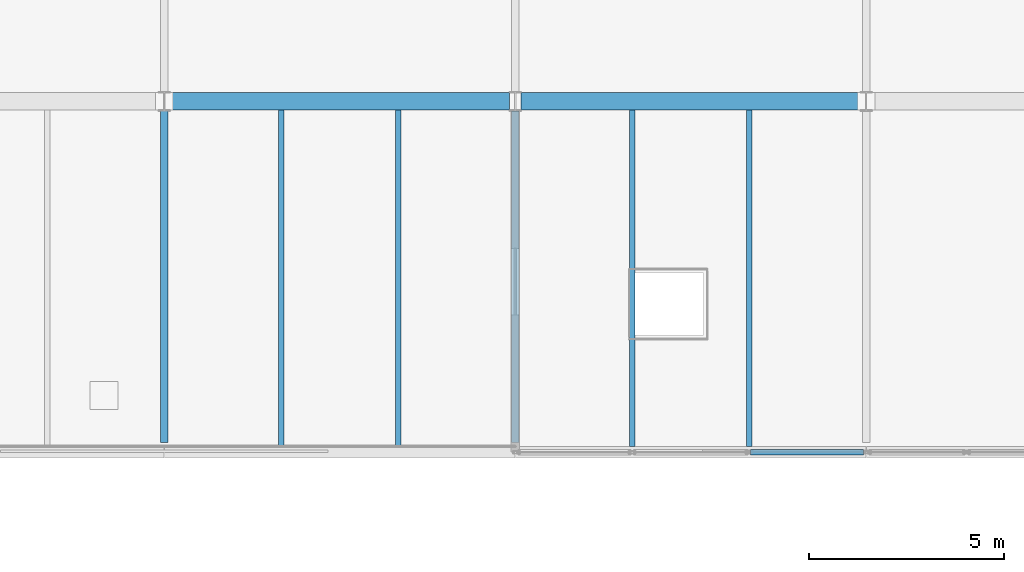
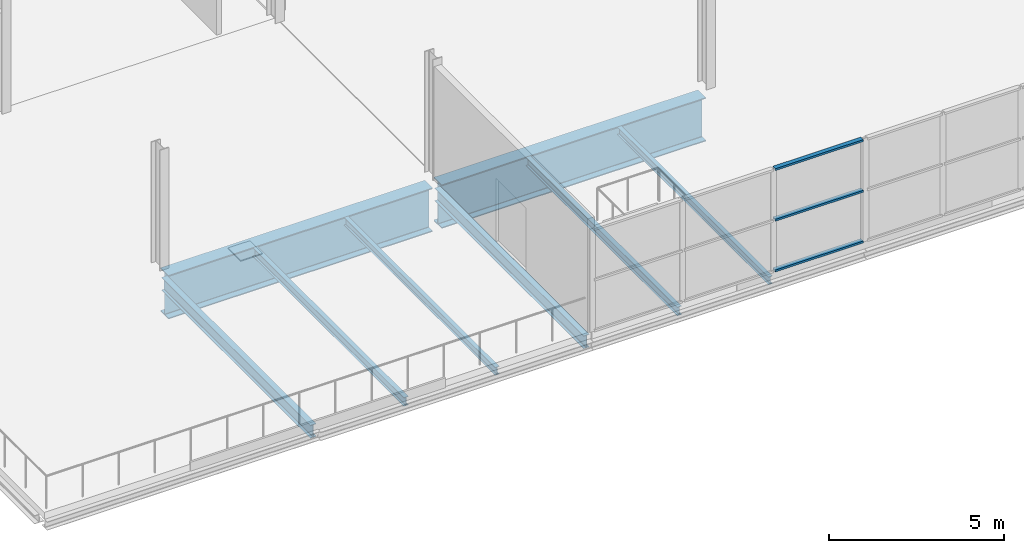
# One storey, part 19 of 88: 8 beams, 3 members, 1 element without a shape of its own.
"""IFC4 building model written with IfcOpenShell, lengths in metres."""

import ifcopenshell
import ifcopenshell.guid

model = None  # the IFC model being written
_history = None  # IfcOwnerHistory: only IFC2X3 demands one
_inside = {}  # id of a spatial element -> (the spatial element, [elements in it])
_under = {}  # id of a project, library or spatial element -> (it, [spatial elements below it])
_declared = {}  # id of a project -> (the project, [libraries it declares])
_typed = {}  # id of a type object -> (the type object, [elements of that type])
_made_of = {}  # id of a material, layer set ... -> (it, [elements and type objects made of it])


def new_model(schema):
    """Start an empty IFC model of exactly this schema.

    Asked for "IFC4X3", IfcOpenShell would pick the latest addendum, in which some entities
    have other attributes; the version numbers below select the first issue.
    IFC2X3 requires an IfcOwnerHistory on every rooted entity: one is made here for all.
    """
    global model, _history
    if schema == "IFC4X3":
        model = ifcopenshell.file(schema_version=(4, 3, 0, 0))
    else:
        model = ifcopenshell.file(schema=schema)
    _inside.clear()
    _under.clear()
    _declared.clear()
    _typed.clear()
    _made_of.clear()
    _history = None
    if model.schema == "IFC2X3":
        org = make("IfcOrganization", Name="unknown")
        user = make(
            "IfcPersonAndOrganization",
            ThePerson=make("IfcPerson", FamilyName="unknown"),
            TheOrganization=org,
        )
        app = make(
            "IfcApplication",
            ApplicationDeveloper=org,
            Version="unknown",
            ApplicationFullName="unknown",
            ApplicationIdentifier="unknown",
        )
        _history = make(
            "IfcOwnerHistory",
            OwningUser=user,
            OwningApplication=app,
            ChangeAction="ADDED",
            CreationDate=0,
        )
    return model


def make(cls, **values):
    """One entity of the class cls with the attributes given. An attribute that is None is left unset."""
    return model.create_entity(
        cls, **{name: value for name, value in values.items() if value is not None}
    )


def rooted(cls, **values):
    """An entity with a GlobalId (a new one), such as an element, a storey or a relation."""
    return make(cls, GlobalId=ifcopenshell.guid.new(), OwnerHistory=_history, **values)


def si_unit(unit_type, name, prefix=None):
    """IfcSIUnit, for example si_unit("LENGTHUNIT", "METRE", prefix="MILLI")."""
    return make("IfcSIUnit", UnitType=unit_type, Prefix=prefix, Name=name)


def assignment(units):
    """IfcUnitAssignment: the units of a project."""
    return None if units is None else make("IfcUnitAssignment", Units=units)


def point(xyz):
    """IfcCartesianPoint."""
    return None if xyz is None else make("IfcCartesianPoint", Coordinates=xyz)


def direction(xyz):
    """IfcDirection."""
    return None if xyz is None else make("IfcDirection", DirectionRatios=xyz)


def frame(location, z_axis=None, x_axis=None):
    """IfcAxis2Placement3D, a coordinate frame: its origin and axes. An axis left out is left unset."""
    return make(
        "IfcAxis2Placement3D",
        Location=point(location),
        Axis=direction(z_axis),
        RefDirection=direction(x_axis),
    )


def frame_2d(location, x_axis=None):
    """IfcAxis2Placement2D, a coordinate frame in the plane: its origin and x axis."""
    return make(
        "IfcAxis2Placement2D", Location=point(location), RefDirection=direction(x_axis)
    )


def origin():
    """The frame at (0, 0, 0) with its axes left unset."""
    return frame((0.0, 0.0, 0.0))


def origin_2d():
    """The frame at (0, 0) in the plane with its x axis left unset."""
    return frame_2d((0.0, 0.0))


def place(relative_to, where):
    """IfcLocalPlacement: puts the frame where relative to a parent placement (None: the world)."""
    return make(
        "IfcLocalPlacement", PlacementRelTo=relative_to, RelativePlacement=where
    )


def context(
    kind, dimensions, precision=None, world=None, true_north=None, identifier=None
):
    """IfcGeometricRepresentationContext, for example the 3D "Model" context."""
    return make(
        "IfcGeometricRepresentationContext",
        ContextIdentifier=identifier,
        ContextType=kind,
        CoordinateSpaceDimension=dimensions,
        Precision=precision,
        WorldCoordinateSystem=world,
        TrueNorth=true_north,
    )


def subcontext(parent, identifier, kind, view, scale=None):
    """IfcGeometricRepresentationSubContext, for example "Body" below "Model"."""
    return make(
        "IfcGeometricRepresentationSubContext",
        ContextIdentifier=identifier,
        ContextType=kind,
        ParentContext=parent,
        TargetScale=scale,
        TargetView=view,
    )


def project(units=None, contexts=None):
    """IfcProject with its units and contexts."""
    return rooted(
        "IfcProject",
        Name="project",
        RepresentationContexts=contexts,
        UnitsInContext=assignment(units),
    )


def spatial(cls, under=None, at=None, **own):
    """A site, building, storey or space (cls), placed at a placement, below another one or the project."""
    s = rooted(cls, ObjectPlacement=at, **own)
    if under is not None:
        _under.setdefault(under.id(), (under, []))[1].append(s)
    return s


def profile(cls, at=None, kind="AREA", **sizes):
    """A parametric profile (cls). Its sizes go by their IFC names, for example OverallWidth=200.0."""
    return make(cls, ProfileType=kind, Position=at, **sizes)


def hollow_rectangle(**sizes):
    """IfcRectangleHollowProfileDef."""
    return profile("IfcRectangleHollowProfileDef", **sizes)


def i_section(**sizes):
    """IfcIShapeProfileDef."""
    return profile("IfcIShapeProfileDef", **sizes)


def extrude(swept, where, along, depth):
    """IfcExtrudedAreaSolid: the profile swept, set in the frame where, extruded along a direction by depth."""
    return make(
        "IfcExtrudedAreaSolid",
        SweptArea=swept,
        Position=where,
        ExtrudedDirection=direction(along),
        Depth=depth,
    )


def shape(context_of_items, identifier, shape_type, items):
    """IfcShapeRepresentation: the items that make up one representation, for example the "Body"."""
    return make(
        "IfcShapeRepresentation",
        ContextOfItems=context_of_items,
        RepresentationIdentifier=identifier,
        RepresentationType=shape_type,
        Items=items,
    )


def material(Name=None, Category=None):
    """IfcMaterial."""
    return make("IfcMaterial", Name=Name, Category=Category)


def layer(
    of_material, thickness, ventilated=None, Name=None, Category=None, Priority=None
):
    """IfcMaterialLayer: one layer of a wall or slab, of a material (None: an air gap)."""
    return make(
        "IfcMaterialLayer",
        Material=of_material,
        LayerThickness=thickness,
        IsVentilated=ventilated,
        Name=Name,
        Category=Category,
        Priority=Priority,
    )


def layer_set(layers, Name=None):
    """IfcMaterialLayerSet."""
    return make("IfcMaterialLayerSet", MaterialLayers=layers, LayerSetName=Name)


def material_profile(
    of_material, cross_section, Name=None, Category=None, Priority=None
):
    """IfcMaterialProfile: a cross section and its material."""
    return make(
        "IfcMaterialProfile",
        Name=Name,
        Material=of_material,
        Profile=cross_section,
        Priority=Priority,
        Category=Category,
    )


def profile_set(profiles, Name=None, composite=None):
    """IfcMaterialProfileSet."""
    return make(
        "IfcMaterialProfileSet",
        Name=Name,
        MaterialProfiles=profiles,
        CompositeProfile=composite,
    )


def made_of(thing, what):
    """Note that an element or type object is made of a material, layer set ...; save() writes the relation."""
    if what is not None:
        _made_of.setdefault(what.id(), (what, []))[1].append(thing)
    return thing


def type_object(cls, material=None, **own):
    """A type object (cls), such as IfcWallType, which elements share."""
    return made_of(rooted(cls, **own), material)


def element(
    cls,
    number,
    at=None,
    inside=None,
    cuts=None,
    type_object=None,
    material=None,
    context=None,
    identifier="Body",
    shape_type=None,
    held_by="IfcProductDefinitionShape",
    body=None,
    shapes=None,
    **own,
):
    """One element of the class cls, such as IfcWall. Its Tag is "e" and its number.

    at: its placement. inside: the storey or other place that contains it. cuts: it is an
    opening in that element (IfcRelVoidsElement). A single representation is given by context,
    identifier, shape_type and body (its items); several are given by shapes. held_by: the class
    of the entity that holds the representations. save() writes the other relations.
    """
    e = rooted(cls, Tag="e%d" % number, ObjectPlacement=at, **own)
    if body is not None:
        shapes = [shape(context, identifier, shape_type, body)]
    if shapes is not None:
        e.Representation = make(held_by, Representations=shapes)
    if inside is not None:
        _inside.setdefault(inside.id(), (inside, []))[1].append(e)
    if cuts is not None:
        rooted(
            "IfcRelVoidsElement", RelatingBuildingElement=cuts, RelatedOpeningElement=e
        )
    if type_object is not None:
        _typed.setdefault(type_object.id(), (type_object, []))[1].append(e)
    return made_of(e, material)


def aggregate(whole, parts):
    """IfcRelAggregates: a whole, such as a stair, and the parts it consists of."""
    return rooted("IfcRelAggregates", RelatingObject=whole, RelatedObjects=parts)


def save(model, path):
    """Write the relations noted so far, then the file.

    IfcRelAggregates (storeys below a building ...), IfcRelContainedInSpatialStructure (elements
    in a storey), IfcRelDefinesByType, IfcRelAssociatesMaterial and IfcRelDeclares: one each for
    every whole, place, type object, material and project.
    """
    for whole, parts in _under.values():
        aggregate(whole, parts)
    for where, things in _inside.values():
        rooted(
            "IfcRelContainedInSpatialStructure",
            RelatedElements=things,
            RelatingStructure=where,
        )
    for kind, things in _typed.values():
        rooted("IfcRelDefinesByType", RelatedObjects=things, RelatingType=kind)
    for what, things in _made_of.values():
        rooted("IfcRelAssociatesMaterial", RelatedObjects=things, RelatingMaterial=what)
    for by, libraries in _declared.values():
        rooted("IfcRelDeclares", RelatingContext=by, RelatedDefinitions=libraries)
    model.write(path)


model = new_model("IFC4")

# Units and contexts
model_context = context("Model", 3, precision=1e-05, world=origin(), true_north=direction((0.0, 1.0)))
body_context = subcontext(model_context, "Body", "Model", "MODEL_VIEW")
ifc_project = project(units=[si_unit("LENGTHUNIT", "METRE"), si_unit("AREAUNIT", "SQUARE_METRE"), si_unit("VOLUMEUNIT", "CUBIC_METRE"), si_unit("PLANEANGLEUNIT", "RADIAN"), si_unit("MASSUNIT", "GRAM", prefix="KILO")], contexts=[model_context])

# Site, building, storey
site_placement = place(None, origin())
site = spatial("IfcSite", under=ifc_project, at=site_placement, CompositionType="ELEMENT")
building_placement = place(site_placement, origin())
building = spatial("IfcBuilding", under=site, at=building_placement, Name="Deido Ridge Mobility Hub", CompositionType="ELEMENT")
storey_placement = place(building_placement, frame((0.0, 0.0, 16.800048828125)))
storey = spatial("IfcBuildingStorey", under=building, at=storey_placement, Name="L04", CompositionType="ELEMENT", Elevation=16.800048828125)

# Beams
ifc_material_1 = material(Name="Steel S355J2 EN 10025-2", Category="steel")
ifc_material_profile_1 = material_profile(ifc_material_1, i_section(OverallWidth=0.18994140625, OverallDepth=0.449951171875, WebThickness=0.009521484375, FlangeThickness=0.0146484375, FilletRadius=0.02099609375, at=origin_2d()), Name="IPE 450")
ifc_profile_set_1 = profile_set([ifc_material_profile_1], Name="Steel S355J2 EN 10025-2")
beam_type_1 = type_object("IfcBeamType", Name="BM-IPE450", PredefinedType="BEAM", material=ifc_profile_set_1)
for number, where, z_axis, x_axis, name in (
    (1, (63.0, 36.25, -0.465087890625), (0.0, 1.0, 0.0), (-1.0, 0.0, 0.0), "Floor beam B4"),
    (2, (72.0, 36.25, -0.5), (0.0, 1.0, 0.0), (-1.0, 0.0, 0.0), "Floor beam B4"),
):
    element("IfcBeam", number, at=place(storey_placement, frame(where, z_axis=z_axis, x_axis=x_axis)), inside=storey, type_object=beam_type_1, Name=name, PredefinedType="BEAM", context=body_context, shape_type="SweptSolid", body=[
        extrude(i_section(OverallWidth=0.18994140625, OverallDepth=0.449951171875, WebThickness=0.009521484375, FlangeThickness=0.0146484375, FilletRadius=0.02099609375, at=origin_2d()), origin(), (0.0, 0.0, 1.0), 8.5),
    ])
ifc_material_profile_2 = material_profile(ifc_material_1, i_section(OverallWidth=0.449951171875, OverallDepth=1.52001953125, WebThickness=0.02001953125, FlangeThickness=0.034912109375, FilletRadius=0.01611328125, at=origin_2d()), Name="WTG 1520x450")
ifc_profile_set_2 = profile_set([ifc_material_profile_2], Name="Steel S355J2 EN 10025-2")
beam_type_2 = type_object("IfcBeamType", Name="BM-TG-1520", PredefinedType="USERDEFINED", material=ifc_profile_set_2)
for number, where, z_axis, x_axis, name in (
    (3, (63.14990234375, 45.0, -1.03515625), (1.0, 0.0, 0.0), (0.0, 1.0, 0.0), "Transfer girder TG2"),
    (4, (72.14990234375, 45.0, -1.03515625), (1.0, 0.0, 0.0), (0.0, 1.0, 0.0), "Transfer girder TG2"),
):
    element("IfcBeam", number, at=place(storey_placement, frame(where, z_axis=z_axis, x_axis=x_axis)), inside=storey, type_object=beam_type_2, Name=name, ObjectType="TRANSFER GIRDER", PredefinedType="USERDEFINED", context=body_context, shape_type="SweptSolid", body=[
        extrude(i_section(OverallWidth=0.449951171875, OverallDepth=1.52001953125, WebThickness=0.02001953125, FlangeThickness=0.034912109375, FilletRadius=0.01611328125, at=origin_2d()), origin(), (0.0, 0.0, 1.0), 8.7001953125),
    ])
ifc_material_profile_3 = material_profile(ifc_material_1, i_section(OverallWidth=0.135009765625, OverallDepth=0.27001953125, WebThickness=0.006591796875, FlangeThickness=0.01025390625, FilletRadius=0.014892578125, at=origin_2d()), Name="IPE 270")
ifc_profile_set_3 = profile_set([ifc_material_profile_3], Name="Steel S355J2 EN 10025-2")
beam_type_3 = type_object("IfcBeamType", Name="JST-IPE270", PredefinedType="JOIST", material=ifc_profile_set_3)
for number, where, z_axis, x_axis, name in (
    (5, (69.0, 36.14990234375, -0.41015625), (0.0, 1.0, 0.0), (-1.0, 0.0, 0.0), "Composite joist J4"),
    (6, (78.0, 36.14990234375, -0.41015625), (0.0, 1.0, 0.0), (-1.0, 0.0, 0.0), "Composite joist J4"),
):
    element("IfcBeam", number, at=place(storey_placement, frame(where, z_axis=z_axis, x_axis=x_axis)), inside=storey, type_object=beam_type_3, Name=name, PredefinedType="JOIST", context=body_context, shape_type="SweptSolid", body=[
        extrude(i_section(OverallWidth=0.135009765625, OverallDepth=0.27001953125, WebThickness=0.006591796875, FlangeThickness=0.01025390625, FilletRadius=0.014892578125, at=origin_2d()), origin(), (0.0, 0.0, 1.0), 8.625),
    ])
ifc_material_profile_4 = material_profile(ifc_material_1, i_section(OverallWidth=0.14990234375, OverallDepth=0.300048828125, WebThickness=0.007080078125, FlangeThickness=0.0107421875, FilletRadius=0.014892578125, at=origin_2d()), Name="IPE 300")
ifc_profile_set_4 = profile_set([ifc_material_profile_4], Name="Steel S355J2 EN 10025-2")
beam_type_4 = type_object("IfcBeamType", Name="JST-IPE300", PredefinedType="JOIST", material=ifc_profile_set_4)
for number, where, z_axis, x_axis, name in (
    (7, (66.0, 36.14990234375, -0.425048828125), (0.0, 1.0, 0.0), (-1.0, 0.0, 0.0), "Composite joist J3"),
    (8, (75.0, 36.14990234375, -0.425048828125), (0.0, 1.0, 0.0), (-1.0, 0.0, 0.0), "Composite joist J3"),
):
    element("IfcBeam", number, at=place(storey_placement, frame(where, z_axis=z_axis, x_axis=x_axis)), inside=storey, type_object=beam_type_4, Name=name, PredefinedType="JOIST", context=body_context, shape_type="SweptSolid", body=[
        extrude(i_section(OverallWidth=0.14990234375, OverallDepth=0.300048828125, WebThickness=0.007080078125, FlangeThickness=0.0107421875, FilletRadius=0.014892578125, at=origin_2d()), origin(), (0.0, 0.0, 1.0), 8.625),
    ])

# Curtain wall, members
ifc_material_2 = material(Name="Anodised aluminium EN AW-6063 T6", Category="aluminium")
ifc_layer = layer(ifc_material_2, 0.22509765625, Name="Anodised aluminium EN AW-6063 T6")
ifc_layer_set = layer_set([ifc_layer], Name="Anodised aluminium EN AW-6063 T6")
curtain_wall_type = type_object("IfcCurtainWallType", Name="CW-UF-5", PredefinedType="USERDEFINED", material=ifc_layer_set)
curtain_wall_placement = place(storey_placement, origin())
curtain_wall = element("IfcCurtainWall", 9, at=curtain_wall_placement, inside=storey, type_object=curtain_wall_type, Name="Unitised curtain wall CW5", ObjectType="UNITISED FACADE", PredefinedType="USERDEFINED")
ifc_material_profile_5 = material_profile(ifc_material_2, hollow_rectangle(XDim=0.14501953125, YDim=0.070068359375, WallThickness=0.00390625, at=origin_2d()), Name="RHS 145x70x4")
ifc_profile_set_5 = profile_set([ifc_material_profile_5], Name="Anodised aluminium EN AW-6063 T6")
member_type = type_object("IfcMemberType", Name="MEM-TRN-145X70", PredefinedType="USERDEFINED", material=ifc_profile_set_5)
member_1_placement = place(storey_placement, frame((78.034912109375, 36.0, 0.034912109375), z_axis=(1.0, 0.0, 0.0), x_axis=(0.0, 1.0, 0.0)))
member_1 = element("IfcMember", 10, at=member_1_placement, type_object=member_type, Name="CW5 transom 3.1", ObjectType="TRANSOM", PredefinedType="USERDEFINED", context=body_context, shape_type="SweptSolid", body=[
    extrude(hollow_rectangle(XDim=0.14501953125, YDim=0.070068359375, WallThickness=0.00390625, at=origin_2d()), origin(), (0.0, 0.0, 1.0), 2.89501953125),
])
member_2_placement = place(storey_placement, frame((78.034912109375, 36.0, 1.800048828125), z_axis=(1.0, 0.0, 0.0), x_axis=(0.0, 1.0, 0.0)))
member_2 = element("IfcMember", 11, at=member_2_placement, type_object=member_type, Name="CW5 transom 3.2", ObjectType="TRANSOM", PredefinedType="USERDEFINED", context=body_context, shape_type="SweptSolid", body=[
    extrude(hollow_rectangle(XDim=0.14501953125, YDim=0.070068359375, WallThickness=0.00390625, at=origin_2d()), origin(), (0.0, 0.0, 1.0), 2.89501953125),
])
member_3_placement = place(storey_placement, frame((78.034912109375, 36.0, 3.56494140625), z_axis=(1.0, 0.0, 0.0), x_axis=(0.0, 1.0, 0.0)))
member_3 = element("IfcMember", 12, at=member_3_placement, type_object=member_type, Name="CW5 transom 3.3", ObjectType="TRANSOM", PredefinedType="USERDEFINED", context=body_context, shape_type="SweptSolid", body=[
    extrude(hollow_rectangle(XDim=0.14501953125, YDim=0.070068359375, WallThickness=0.00390625, at=origin_2d()), origin(), (0.0, 0.0, 1.0), 2.89501953125),
])
aggregate(curtain_wall, [member_1, member_2, member_3])

save(model, "model.ifc")
